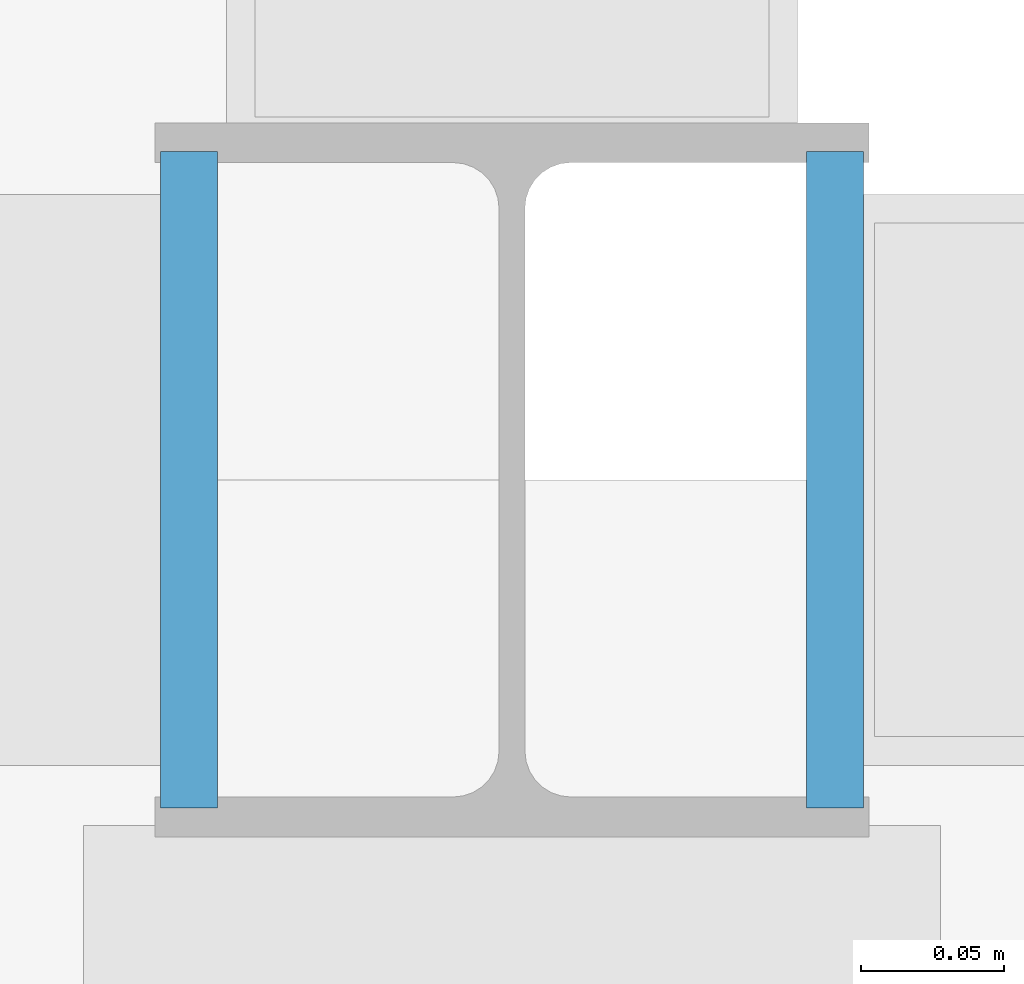
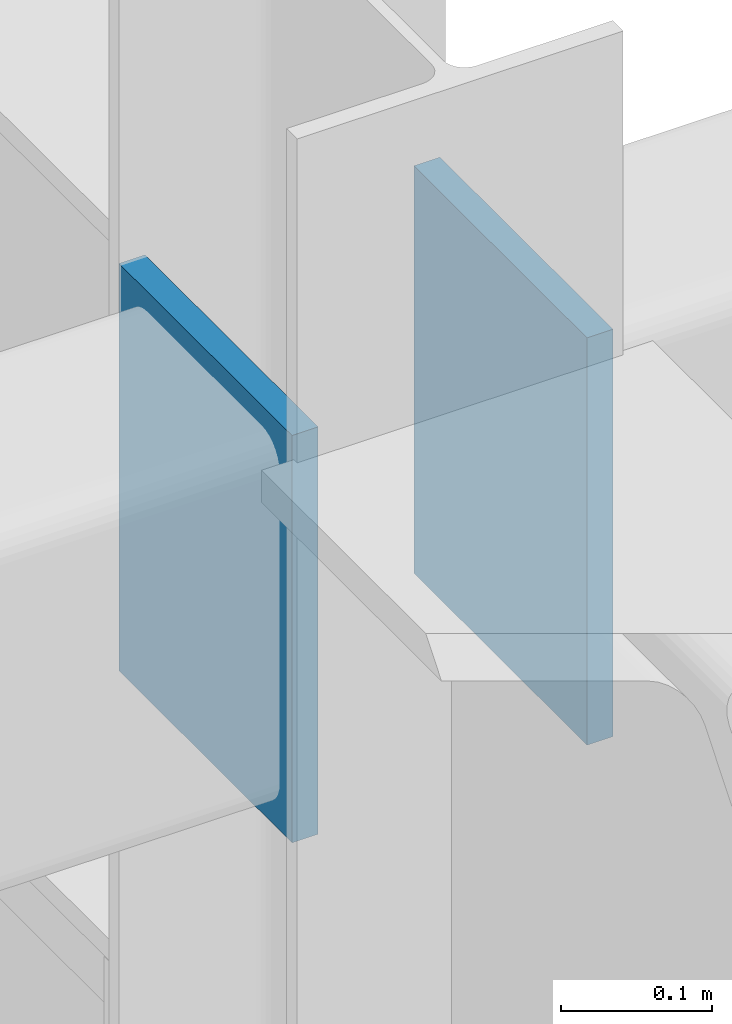
# One storey, part 110 of 184: 2 plates.
"""IFC4 building model written with IfcOpenShell, lengths in metres."""

from ifc_helpers import new_model, si_unit, direction, frame, origin, origin_2d, place, context, subcontext, project, spatial, rectangle, extrude, material, layer, layer_set, type_object, element, save


model = new_model("IFC4")

# Units and contexts
model_context = context("Model", 3, precision=1e-05, world=origin(), true_north=direction((0.0, 1.0)))
body_context = subcontext(model_context, "Body", "Model", "MODEL_VIEW")
ifc_project = project(units=[si_unit("LENGTHUNIT", "METRE"), si_unit("AREAUNIT", "SQUARE_METRE"), si_unit("VOLUMEUNIT", "CUBIC_METRE"), si_unit("PLANEANGLEUNIT", "RADIAN"), si_unit("MASSUNIT", "GRAM", prefix="KILO")], contexts=[model_context])

# Site, building, storey
site_placement = place(None, origin())
site = spatial("IfcSite", under=ifc_project, at=site_placement, CompositionType="ELEMENT")
building_placement = place(site_placement, origin())
building = spatial("IfcBuilding", under=site, at=building_placement, Name="Zhaolan Boulevard Law Courts", CompositionType="ELEMENT")
storey_placement = place(building_placement, frame((0.0, 0.0, 5.39990234375)))
storey = spatial("IfcBuildingStorey", under=building, at=storey_placement, Name="L01", CompositionType="ELEMENT", Elevation=5.39990234375)

# Plates
ifc_material = material(Name="Structural steel Q355B", Category="steel")
ifc_layer = layer(ifc_material, 0.02001953125)
ifc_layer_set = layer_set([ifc_layer])
plate_type = type_object("IfcPlateType", Name="END CAP PLATE 20", PredefinedType="SHEET", material=ifc_layer_set)
for number, where, z_axis, x_axis, name in (
    (1, (59.886962890625, 30.0, 4.822998046875), (0.0, 0.0, 1.0), (1.0, 0.0, 0.0), "Hollow Section End-Cap Plate ECP-0736"),
    (2, (60.113037109375, 30.0, 4.822998046875), (0.0, 0.0, 1.0), (1.0, 0.0, 0.0), "Hollow Section End-Cap Plate ECP-0737"),
):
    element("IfcPlate", number, at=place(storey_placement, frame(where, z_axis=z_axis, x_axis=x_axis)), inside=storey, type_object=plate_type, Name=name, PredefinedType="SHEET", context=body_context, shape_type="SweptSolid", body=[
        extrude(rectangle(XDim=0.02001953125, YDim=0.22998046875, at=origin_2d()), origin(), (0.0, 0.0, 1.0), 0.330078125),
    ])

save(model, "model.ifc")
